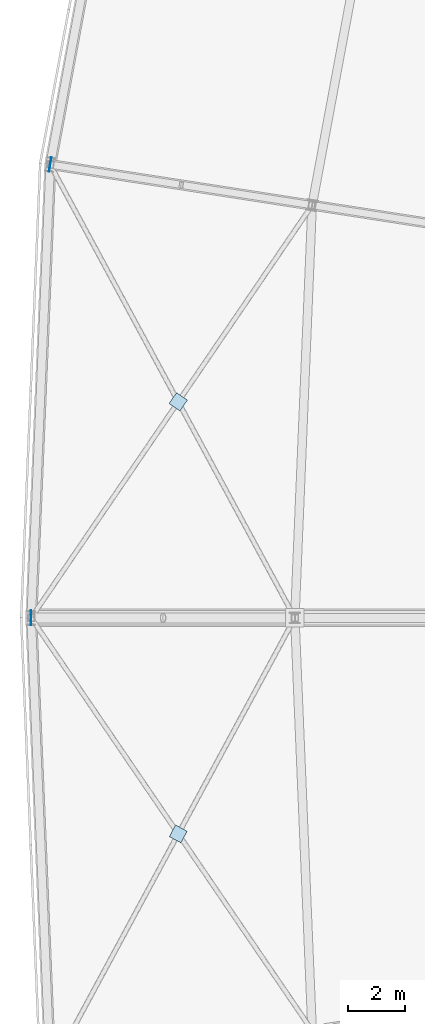
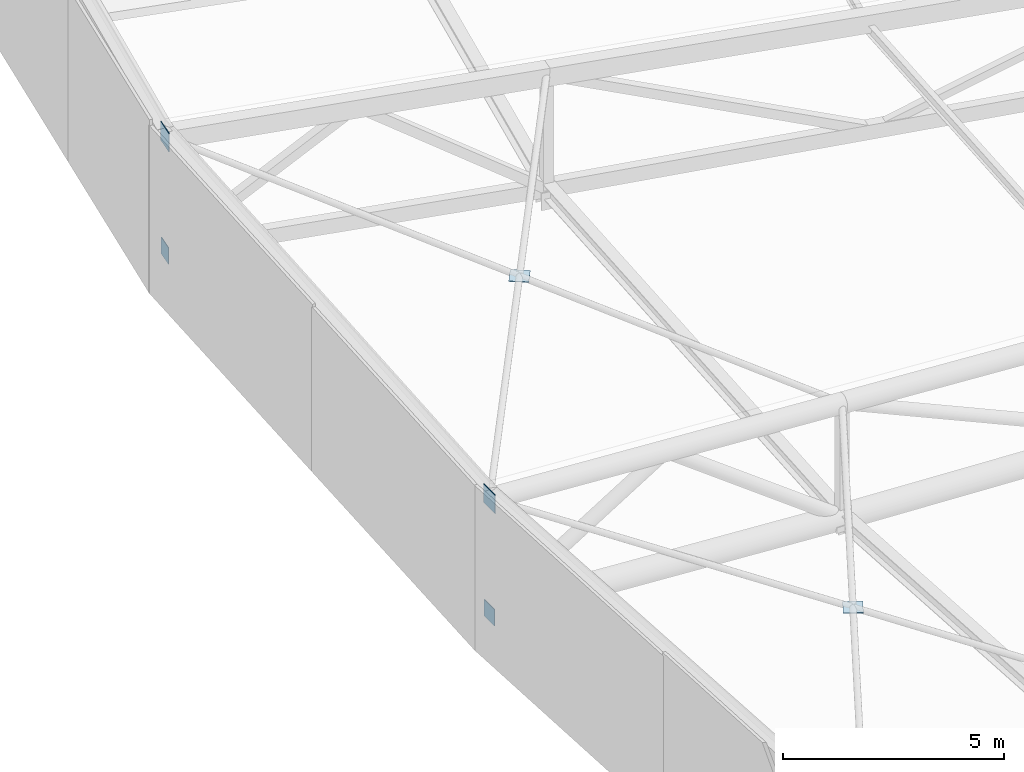
# One storey, part 115 of 143: 6 plates.
"""IFC4 building model written with IfcOpenShell, lengths in metres."""

import ifcopenshell
import ifcopenshell.guid

model = None  # the IFC model being written
_history = None  # IfcOwnerHistory: only IFC2X3 demands one
_inside = {}  # id of a spatial element -> (the spatial element, [elements in it])
_under = {}  # id of a project, library or spatial element -> (it, [spatial elements below it])
_declared = {}  # id of a project -> (the project, [libraries it declares])
_typed = {}  # id of a type object -> (the type object, [elements of that type])
_made_of = {}  # id of a material, layer set ... -> (it, [elements and type objects made of it])


def new_model(schema):
    """Start an empty IFC model of exactly this schema.

    Asked for "IFC4X3", IfcOpenShell would pick the latest addendum, in which some entities
    have other attributes; the version numbers below select the first issue.
    IFC2X3 requires an IfcOwnerHistory on every rooted entity: one is made here for all.
    """
    global model, _history
    if schema == "IFC4X3":
        model = ifcopenshell.file(schema_version=(4, 3, 0, 0))
    else:
        model = ifcopenshell.file(schema=schema)
    _inside.clear()
    _under.clear()
    _declared.clear()
    _typed.clear()
    _made_of.clear()
    _history = None
    if model.schema == "IFC2X3":
        org = make("IfcOrganization", Name="unknown")
        user = make(
            "IfcPersonAndOrganization",
            ThePerson=make("IfcPerson", FamilyName="unknown"),
            TheOrganization=org,
        )
        app = make(
            "IfcApplication",
            ApplicationDeveloper=org,
            Version="unknown",
            ApplicationFullName="unknown",
            ApplicationIdentifier="unknown",
        )
        _history = make(
            "IfcOwnerHistory",
            OwningUser=user,
            OwningApplication=app,
            ChangeAction="ADDED",
            CreationDate=0,
        )
    return model


def make(cls, **values):
    """One entity of the class cls with the attributes given. An attribute that is None is left unset."""
    return model.create_entity(
        cls, **{name: value for name, value in values.items() if value is not None}
    )


def rooted(cls, **values):
    """An entity with a GlobalId (a new one), such as an element, a storey or a relation."""
    return make(cls, GlobalId=ifcopenshell.guid.new(), OwnerHistory=_history, **values)


def si_unit(unit_type, name, prefix=None):
    """IfcSIUnit, for example si_unit("LENGTHUNIT", "METRE", prefix="MILLI")."""
    return make("IfcSIUnit", UnitType=unit_type, Prefix=prefix, Name=name)


def assignment(units):
    """IfcUnitAssignment: the units of a project."""
    return None if units is None else make("IfcUnitAssignment", Units=units)


def point(xyz):
    """IfcCartesianPoint."""
    return None if xyz is None else make("IfcCartesianPoint", Coordinates=xyz)


def direction(xyz):
    """IfcDirection."""
    return None if xyz is None else make("IfcDirection", DirectionRatios=xyz)


def frame(location, z_axis=None, x_axis=None):
    """IfcAxis2Placement3D, a coordinate frame: its origin and axes. An axis left out is left unset."""
    return make(
        "IfcAxis2Placement3D",
        Location=point(location),
        Axis=direction(z_axis),
        RefDirection=direction(x_axis),
    )


def frame_2d(location, x_axis=None):
    """IfcAxis2Placement2D, a coordinate frame in the plane: its origin and x axis."""
    return make(
        "IfcAxis2Placement2D", Location=point(location), RefDirection=direction(x_axis)
    )


def origin():
    """The frame at (0, 0, 0) with its axes left unset."""
    return frame((0.0, 0.0, 0.0))


def origin_2d():
    """The frame at (0, 0) in the plane with its x axis left unset."""
    return frame_2d((0.0, 0.0))


def place(relative_to, where):
    """IfcLocalPlacement: puts the frame where relative to a parent placement (None: the world)."""
    return make(
        "IfcLocalPlacement", PlacementRelTo=relative_to, RelativePlacement=where
    )


def context(
    kind, dimensions, precision=None, world=None, true_north=None, identifier=None
):
    """IfcGeometricRepresentationContext, for example the 3D "Model" context."""
    return make(
        "IfcGeometricRepresentationContext",
        ContextIdentifier=identifier,
        ContextType=kind,
        CoordinateSpaceDimension=dimensions,
        Precision=precision,
        WorldCoordinateSystem=world,
        TrueNorth=true_north,
    )


def subcontext(parent, identifier, kind, view, scale=None):
    """IfcGeometricRepresentationSubContext, for example "Body" below "Model"."""
    return make(
        "IfcGeometricRepresentationSubContext",
        ContextIdentifier=identifier,
        ContextType=kind,
        ParentContext=parent,
        TargetScale=scale,
        TargetView=view,
    )


def project(units=None, contexts=None):
    """IfcProject with its units and contexts."""
    return rooted(
        "IfcProject",
        Name="project",
        RepresentationContexts=contexts,
        UnitsInContext=assignment(units),
    )


def spatial(cls, under=None, at=None, **own):
    """A site, building, storey or space (cls), placed at a placement, below another one or the project."""
    s = rooted(cls, ObjectPlacement=at, **own)
    if under is not None:
        _under.setdefault(under.id(), (under, []))[1].append(s)
    return s


def profile(cls, at=None, kind="AREA", **sizes):
    """A parametric profile (cls). Its sizes go by their IFC names, for example OverallWidth=200.0."""
    return make(cls, ProfileType=kind, Position=at, **sizes)


def rectangle(**sizes):
    """IfcRectangleProfileDef."""
    return profile("IfcRectangleProfileDef", **sizes)


def extrude(swept, where, along, depth):
    """IfcExtrudedAreaSolid: the profile swept, set in the frame where, extruded along a direction by depth."""
    return make(
        "IfcExtrudedAreaSolid",
        SweptArea=swept,
        Position=where,
        ExtrudedDirection=direction(along),
        Depth=depth,
    )


def shape(context_of_items, identifier, shape_type, items):
    """IfcShapeRepresentation: the items that make up one representation, for example the "Body"."""
    return make(
        "IfcShapeRepresentation",
        ContextOfItems=context_of_items,
        RepresentationIdentifier=identifier,
        RepresentationType=shape_type,
        Items=items,
    )


def material(Name=None, Category=None):
    """IfcMaterial."""
    return make("IfcMaterial", Name=Name, Category=Category)


def layer(
    of_material, thickness, ventilated=None, Name=None, Category=None, Priority=None
):
    """IfcMaterialLayer: one layer of a wall or slab, of a material (None: an air gap)."""
    return make(
        "IfcMaterialLayer",
        Material=of_material,
        LayerThickness=thickness,
        IsVentilated=ventilated,
        Name=Name,
        Category=Category,
        Priority=Priority,
    )


def layer_set(layers, Name=None):
    """IfcMaterialLayerSet."""
    return make("IfcMaterialLayerSet", MaterialLayers=layers, LayerSetName=Name)


def made_of(thing, what):
    """Note that an element or type object is made of a material, layer set ...; save() writes the relation."""
    if what is not None:
        _made_of.setdefault(what.id(), (what, []))[1].append(thing)
    return thing


def type_object(cls, material=None, **own):
    """A type object (cls), such as IfcWallType, which elements share."""
    return made_of(rooted(cls, **own), material)


def element(
    cls,
    number,
    at=None,
    inside=None,
    cuts=None,
    type_object=None,
    material=None,
    context=None,
    identifier="Body",
    shape_type=None,
    held_by="IfcProductDefinitionShape",
    body=None,
    shapes=None,
    **own,
):
    """One element of the class cls, such as IfcWall. Its Tag is "e" and its number.

    at: its placement. inside: the storey or other place that contains it. cuts: it is an
    opening in that element (IfcRelVoidsElement). A single representation is given by context,
    identifier, shape_type and body (its items); several are given by shapes. held_by: the class
    of the entity that holds the representations. save() writes the other relations.
    """
    e = rooted(cls, Tag="e%d" % number, ObjectPlacement=at, **own)
    if body is not None:
        shapes = [shape(context, identifier, shape_type, body)]
    if shapes is not None:
        e.Representation = make(held_by, Representations=shapes)
    if inside is not None:
        _inside.setdefault(inside.id(), (inside, []))[1].append(e)
    if cuts is not None:
        rooted(
            "IfcRelVoidsElement", RelatingBuildingElement=cuts, RelatedOpeningElement=e
        )
    if type_object is not None:
        _typed.setdefault(type_object.id(), (type_object, []))[1].append(e)
    return made_of(e, material)


def aggregate(whole, parts):
    """IfcRelAggregates: a whole, such as a stair, and the parts it consists of."""
    return rooted("IfcRelAggregates", RelatingObject=whole, RelatedObjects=parts)


def save(model, path):
    """Write the relations noted so far, then the file.

    IfcRelAggregates (storeys below a building ...), IfcRelContainedInSpatialStructure (elements
    in a storey), IfcRelDefinesByType, IfcRelAssociatesMaterial and IfcRelDeclares: one each for
    every whole, place, type object, material and project.
    """
    for whole, parts in _under.values():
        aggregate(whole, parts)
    for where, things in _inside.values():
        rooted(
            "IfcRelContainedInSpatialStructure",
            RelatedElements=things,
            RelatingStructure=where,
        )
    for kind, things in _typed.values():
        rooted("IfcRelDefinesByType", RelatedObjects=things, RelatingType=kind)
    for what, things in _made_of.values():
        rooted("IfcRelAssociatesMaterial", RelatedObjects=things, RelatingMaterial=what)
    for by, libraries in _declared.values():
        rooted("IfcRelDeclares", RelatingContext=by, RelatedDefinitions=libraries)
    model.write(path)


model = new_model("IFC4")

# Units and contexts
model_context = context("Model", 3, precision=1e-05, world=origin(), true_north=direction((0.0, 1.0)))
body_context = subcontext(model_context, "Body", "Model", "MODEL_VIEW")
ifc_project = project(units=[si_unit("LENGTHUNIT", "METRE"), si_unit("AREAUNIT", "SQUARE_METRE"), si_unit("VOLUMEUNIT", "CUBIC_METRE"), si_unit("PLANEANGLEUNIT", "RADIAN"), si_unit("MASSUNIT", "GRAM", prefix="KILO")], contexts=[model_context])

# Site, building, storey
site_placement = place(None, origin())
site = spatial("IfcSite", under=ifc_project, at=site_placement, CompositionType="ELEMENT")
building_placement = place(site_placement, origin())
building = spatial("IfcBuilding", under=site, at=building_placement, Name="Mphavela Belvedere Stadium", CompositionType="ELEMENT")
storey_placement = place(building_placement, frame((0.0, 0.0, 28.800048828125)))
storey = spatial("IfcBuildingStorey", under=building, at=storey_placement, Name="RF", CompositionType="ELEMENT", Elevation=28.800048828125)

# Plates
ifc_material_1 = material(Name="Steel S355", Category="steel")
ifc_layer_1 = layer(ifc_material_1, 0.01806640625)
ifc_layer_set_1 = layer_set([ifc_layer_1], Name="Steel S355")
plate_type_1 = type_object("IfcPlateType", Name="PLT-CAP-TRUSS-BC", PredefinedType="USERDEFINED", material=ifc_layer_set_1)
plate_1_placement = place(storey_placement, frame((12.844482421875, 102.844970703125, 0.844482421875), z_axis=(0.0, 0.0, 1.0), x_axis=(-0.98817491911, 0.153330783737, 0.0)))
element("IfcPlate", 1, at=plate_1_placement, inside=storey, type_object=plate_type_1, Name="Roof truss RT-24 hollow-end cap plate out_bc", ObjectType="GUSSET_PLATE", PredefinedType="USERDEFINED", context=body_context, shape_type="SweptSolid", body=[
    extrude(rectangle(XDim=0.01806640625, YDim=0.4599609375, at=origin_2d()), origin(), (0.0, 0.0, 1.0), 0.4599609375),
])
plate_2_placement = place(storey_placement, frame((17.3203125, 94.55078125, 3.826416015625), z_axis=(0.0, 0.0, 1.0), x_axis=(-0.562804927695, -0.826589749127, 0.0)))
element("IfcPlate", 2, at=plate_2_placement, inside=storey, type_object=plate_type_1, Name="Roof X-brace crossing gusset node plate 24", ObjectType="GUSSET_PLATE", PredefinedType="USERDEFINED", context=body_context, shape_type="SweptSolid", body=[
    extrude(rectangle(XDim=0.4599609375, YDim=0.4599609375, at=origin_2d()), origin(), (0.0, 0.0, 1.0), 0.01806640625),
])
plate_3_placement = place(storey_placement, frame((12.179931640625, 87.0, 0.680908203125), z_axis=(0.0, 0.0, 1.0), x_axis=(-1.0, 0.0, 0.0)))
element("IfcPlate", 3, at=plate_3_placement, inside=storey, type_object=plate_type_1, Name="Roof truss RT-25 hollow-end cap plate out_bc", ObjectType="GUSSET_PLATE", PredefinedType="USERDEFINED", context=body_context, shape_type="SweptSolid", body=[
    extrude(rectangle(XDim=0.01806640625, YDim=0.4599609375, at=origin_2d()), origin(), (0.0, 0.0, 1.0), 0.4599609375),
])
plate_4_placement = place(storey_placement, frame((17.3203125, 79.44921875, 3.826416015625), z_axis=(0.0, 0.0, 1.0), x_axis=(-0.474856389871, -0.880063298291, 0.0)))
element("IfcPlate", 4, at=plate_4_placement, inside=storey, type_object=plate_type_1, Name="Roof X-brace crossing gusset node plate 25", ObjectType="GUSSET_PLATE", PredefinedType="USERDEFINED", context=body_context, shape_type="SweptSolid", body=[
    extrude(rectangle(XDim=0.4599609375, YDim=0.4599609375, at=origin_2d()), origin(), (0.0, 0.0, 1.0), 0.01806640625),
])
ifc_material_2 = material(Name="Steel S355", Category="steel")
ifc_layer_2 = layer(ifc_material_2, 0.02001953125)
ifc_layer_set_2 = layer_set([ifc_layer_2], Name="Steel S355")
plate_type_2 = type_object("IfcPlateType", Name="PLT-CAP-TRUSS-TC", PredefinedType="USERDEFINED", material=ifc_layer_set_2)
for number, where, z_axis, x_axis, name in (
    (5, (12.844482421875, 102.844970703125, 3.964599609375), (0.0, 0.0, 1.0), (-0.98817491911, 0.153330783737, 0.0), "Roof truss RT-24 hollow-end cap plate out_tc"),
    (6, (12.179931640625, 87.0, 3.801025390625), (0.0, 0.0, 1.0), (-1.0, 0.0, 0.0), "Roof truss RT-25 hollow-end cap plate out_tc"),
):
    element("IfcPlate", number, at=place(storey_placement, frame(where, z_axis=z_axis, x_axis=x_axis)), inside=storey, type_object=plate_type_2, Name=name, ObjectType="GUSSET_PLATE", PredefinedType="USERDEFINED", context=body_context, shape_type="SweptSolid", body=[
        extrude(rectangle(XDim=0.02001953125, YDim=0.52001953125, at=origin_2d()), origin(), (0.0, 0.0, 1.0), 0.52001953125),
    ])

save(model, "model.ifc")
